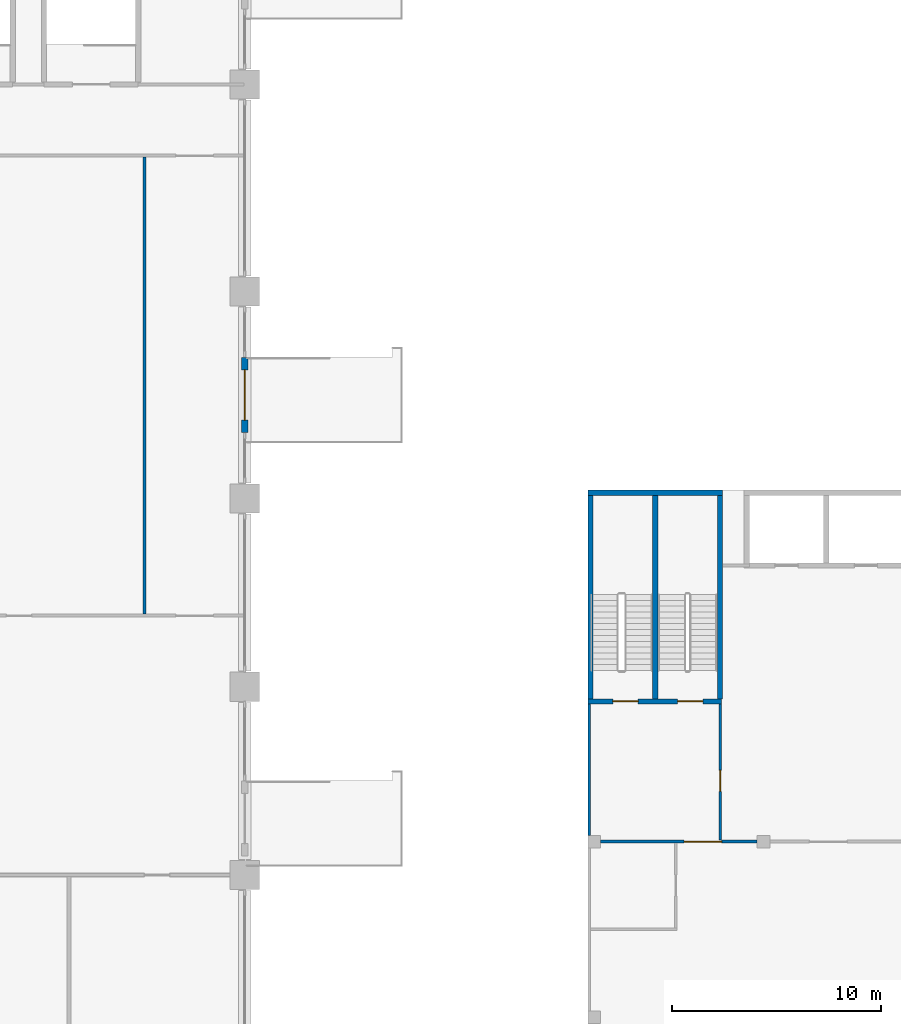
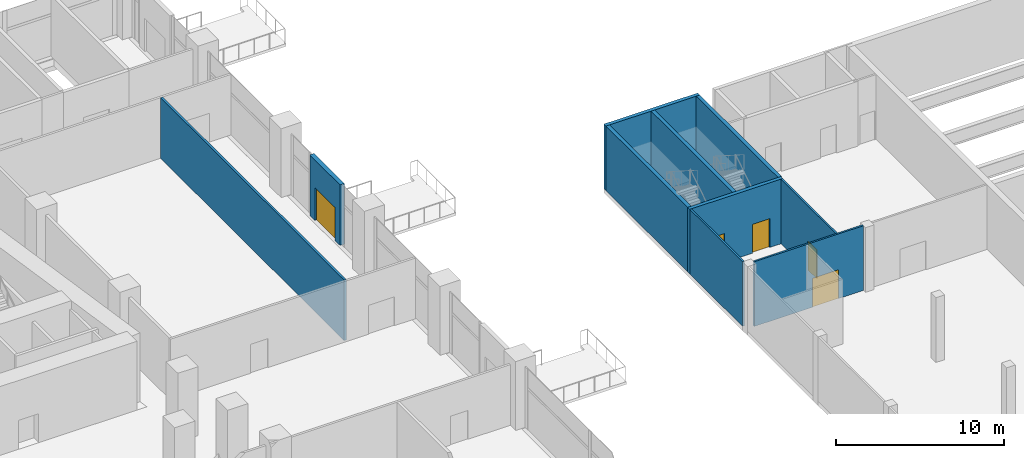
# One storey, part 21 of 33: 10 walls, 5 doors, 5 openings.
"""IFC4 building model written with IfcOpenShell, lengths in metres."""

from ifc_helpers import new_model, si_unit, direction, frame, frame_2d, origin, place, context, subcontext, project, spatial, rectangle, extrude, material, layer, layer_set, type_object, element, fill, save


model = new_model("IFC4")

# Units and contexts
model_context = context("Model", 3, precision=1e-05, world=origin(), true_north=direction((0.0, 1.0)))
body_context = subcontext(model_context, "Body", "Model", "MODEL_VIEW")
ifc_project = project(units=[si_unit("LENGTHUNIT", "METRE"), si_unit("AREAUNIT", "SQUARE_METRE"), si_unit("VOLUMEUNIT", "CUBIC_METRE"), si_unit("PLANEANGLEUNIT", "RADIAN"), si_unit("MASSUNIT", "GRAM", prefix="KILO")], contexts=[model_context])

# Site, building, storey
site_placement = place(None, origin())
site = spatial("IfcSite", under=ifc_project, at=site_placement, CompositionType="ELEMENT")
building_placement = place(site_placement, origin())
building = spatial("IfcBuilding", under=site, at=building_placement, Name="Candeia Pilgrim Tower and Theatre", CompositionType="ELEMENT")
storey_placement = place(building_placement, frame((0.0, 0.0, 29.0)))
storey = spatial("IfcBuildingStorey", under=building, at=storey_placement, Name="L04", CompositionType="ELEMENT", Elevation=29.0)

# Wall, opening, door
ifc_material_1 = material(Name="Ceramic block masonry", Category="masonry")
ifc_layer_1 = layer(ifc_material_1, 0.300048828125)
ifc_layer_set_1 = layer_set([ifc_layer_1], Name="EW2 entrance infill wall 300")
wall_type_1 = type_object("IfcWallType", Name="EW2 entrance infill wall 300", PredefinedType="SOLIDWALL", material=ifc_layer_set_1)
wall_1_placement = place(storey_placement, frame((159.60009765625, 122.75, 0.0), z_axis=(0.0, 0.0, 1.0), x_axis=(0.0, -1.0, 0.0)))
wall_1 = element("IfcWall", 1, at=wall_1_placement, inside=storey, type_object=wall_type_1, Name="Entrance wall L04", PredefinedType="SOLIDWALL", context=body_context, shape_type="SweptSolid", body=[
    extrude(rectangle(XDim=3.60009765625, YDim=0.300048828125, at=frame_2d((1.800048828125, 0.0))), origin(), (0.0, 0.0, 1.0), 4.39990234375),
])
opening_1_placement = place(wall_1_placement, frame((0.60009765625, 0.0, 0.0)))
opening_1 = element("IfcOpeningElement", 2, at=opening_1_placement, cuts=wall_1, Name="Opening L04-ED081", PredefinedType="OPENING", context=body_context, shape_type="SweptSolid", body=[
    extrude(rectangle(XDim=2.39990234375, YDim=2.39990234375, at=frame_2d((1.199951171875, 1.199951171875))), frame((0.0, 0.16015625, 0.0), z_axis=(0.0, -1.0, 0.0), x_axis=(1.0, 0.0, 0.0)), (0.0, 0.0, 1.0), 0.320068359375),
])
ifc_material_2 = material(Name="Aluminium framed glazed door", Category="aluminium")
door_type_1 = type_object("IfcDoorType", Name="ED entrance double door 2400x2400", OperationType="DOUBLE_DOOR_DOUBLE_SWING", PredefinedType="DOOR", material=ifc_material_2)
door_1_placement = place(opening_1_placement, origin())
door_1 = element("IfcDoor", 3, at=door_1_placement, inside=storey, type_object=door_type_1, Name="Entrance door L04-ED081", OperationType="DOUBLE_DOOR_DOUBLE_SWING", OverallHeight=2.39990234375, OverallWidth=2.39990234375, PredefinedType="DOOR", context=body_context, shape_type="SweptSolid", body=[
    extrude(rectangle(XDim=2.39990234375, YDim=2.39990234375, at=frame_2d((1.199951171875, 1.199951171875))), frame((0.0, 0.02490234375, 0.0), z_axis=(0.0, -1.0, 0.0), x_axis=(1.0, 0.0, 0.0)), (0.0, 0.0, 1.0), 0.050048828125),
])
fill(opening_1, door_1)

# Wall
ifc_material_3 = material(Name="Gypsum board partition on steel studs", Category="steel")
ifc_layer_2 = layer(ifc_material_3, 0.14990234375)
ifc_layer_set_2 = layer_set([ifc_layer_2], Name="PW-150 unit wall")
wall_type_2 = type_object("IfcWallType", Name="PW-150 unit wall", PredefinedType="PARTITIONING", material=ifc_layer_set_2)
wall_2_placement = place(storey_placement, frame((154.800048828125, 110.47509765625, 0.0), z_axis=(0.0, 0.0, 1.0), x_axis=(0.0, 1.0, 0.0)))
element("IfcWall", 4, at=wall_2_placement, inside=storey, type_object=wall_type_2, Name="Unit wall L04-101", PredefinedType="PARTITIONING", context=body_context, shape_type="SweptSolid", body=[
    extrude(rectangle(XDim=21.849853515625, YDim=0.14990234375, at=frame_2d((10.9248046875, 0.0))), origin(), (0.0, 0.0, 1.0), 4.39990234375),
])

# Wall, opening, door
ifc_material_4 = material(Name="Gypsum board on steel studs", Category="steel")
ifc_layer_3 = layer(ifc_material_4, 0.125)
ifc_layer_set_3 = layer_set([ifc_layer_3], Name="Partition 125")
wall_type_3 = type_object("IfcWallType", Name="Partition 125", PredefinedType="PARTITIONING", material=ifc_layer_set_3)
wall_3_placement = place(storey_placement, frame((176.60009765625, 99.60009765625, 0.0), z_axis=(0.0, 0.0, 1.0), x_axis=(1.0, 0.0, 0.0)))
wall_3 = element("IfcWall", 5, at=wall_3_placement, inside=storey, type_object=wall_type_3, Name="T-L04-W016", PredefinedType="PARTITIONING", context=body_context, shape_type="SweptSolid", body=[
    extrude(rectangle(XDim=7.5, YDim=0.125, at=frame_2d((3.75, 0.0))), origin(), (0.0, 0.0, 1.0), 4.699951171875),
])
opening_2_placement = place(wall_3_placement, frame((4.0, 0.0, 0.0)))
opening_2 = element("IfcOpeningElement", 6, at=opening_2_placement, cuts=wall_3, Name="Opening TD-L04-018", PredefinedType="OPENING", context=body_context, shape_type="SweptSolid", body=[
    extrude(rectangle(XDim=1.800048828125, YDim=2.10009765625, at=frame_2d((0.89990234375, 1.050048828125))), frame((0.0, 0.072509765625, 0.0), z_axis=(0.0, -1.0, 0.0), x_axis=(1.0, 0.0, 0.0)), (0.0, 0.0, 1.0), 0.14501953125),
])
ifc_material_5 = material(Name="Timber door leaf", Category="wood")
door_type_2 = type_object("IfcDoorType", Name="Door double 1800x2100", OperationType="DOUBLE_DOOR_SINGLE_SWING", PredefinedType="DOOR", material=ifc_material_5)
door_2_placement = place(opening_2_placement, origin())
door_2 = element("IfcDoor", 7, at=door_2_placement, inside=storey, type_object=door_type_2, Name="Door TD-L04-018", OperationType="DOUBLE_DOOR_SINGLE_SWING", OverallHeight=2.10009765625, OverallWidth=1.800048828125, PredefinedType="DOOR", context=body_context, shape_type="SweptSolid", body=[
    extrude(rectangle(XDim=1.800048828125, YDim=2.10009765625, at=frame_2d((0.89990234375, 1.050048828125))), frame((0.0, 0.02490234375, 0.0), z_axis=(0.0, -1.0, 0.0), x_axis=(1.0, 0.0, 0.0)), (0.0, 0.0, 1.0), 0.050048828125),
])
fill(opening_2, door_2)

# Wall
wall_4_placement = place(storey_placement, frame((176.0625, 99.89990234375, 0.0), z_axis=(0.0, 0.0, 1.0), x_axis=(0.0, 1.0, 0.0)))
element("IfcWall", 8, at=wall_4_placement, inside=storey, type_object=wall_type_3, Name="T-L04-W040", PredefinedType="PARTITIONING", context=body_context, shape_type="SweptSolid", body=[
    extrude(rectangle(XDim=6.275146484375, YDim=0.125, at=frame_2d((3.1376953125, 0.0))), origin(), (0.0, 0.0, 1.0), 4.699951171875),
])

# Wall, opening, door
wall_5_placement = place(storey_placement, frame((182.324951171875, 99.66259765625, 0.0), z_axis=(0.0, 0.0, 1.0), x_axis=(0.0, 1.0, 0.0)))
wall_5 = element("IfcWall", 9, at=wall_5_placement, inside=storey, type_object=wall_type_3, Name="T-L04-W044", PredefinedType="PARTITIONING", context=body_context, shape_type="SweptSolid", body=[
    extrude(rectangle(XDim=6.512451171875, YDim=0.125, at=frame_2d((3.25634765625, 0.0))), origin(), (0.0, 0.0, 1.0), 4.699951171875),
])
opening_3_placement = place(wall_5_placement, frame((2.33740234375, 0.0, 0.0)))
opening_3 = element("IfcOpeningElement", 10, at=opening_3_placement, cuts=wall_5, Name="Opening TD-L04-003", PredefinedType="OPENING", context=body_context, shape_type="SweptSolid", body=[
    extrude(rectangle(XDim=1.0, YDim=2.10009765625, at=frame_2d((0.5, 1.050048828125))), frame((0.0, 0.072509765625, 0.0), z_axis=(0.0, -1.0, 0.0), x_axis=(1.0, 0.0, 0.0)), (0.0, 0.0, 1.0), 0.14501953125),
])
ifc_material_6 = material(Name="Steel fire door leaf", Category="steel")
door_type_3 = type_object("IfcDoorType", Name="Door fire single 1000x2100", OperationType="NOTDEFINED", PredefinedType="DOOR", material=ifc_material_6)
door_3_placement = place(opening_3_placement, origin())
door_3 = element("IfcDoor", 11, at=door_3_placement, inside=storey, type_object=door_type_3, Name="Door TD-L04-003", OperationType="SINGLE_SWING_LEFT", OverallHeight=2.10009765625, OverallWidth=1.0, PredefinedType="DOOR", context=body_context, shape_type="SweptSolid", body=[
    extrude(rectangle(XDim=1.0, YDim=2.10009765625, at=frame_2d((0.5, 1.050048828125))), frame((0.0, 0.02490234375, 0.0), z_axis=(0.0, -1.0, 0.0), x_axis=(1.0, 0.0, 0.0)), (0.0, 0.0, 1.0), 0.050048828125),
])
fill(opening_3, door_3)

# Wall, openings, doors
ifc_material_7 = material(Name="Concrete C35/45", Category="concrete")
ifc_layer_4 = layer(ifc_material_7, 0.25)
ifc_layer_set_4 = layer_set([ifc_layer_4], Name="RC wall 250 C35/45")
wall_type_4 = type_object("IfcWallType", Name="RC wall 250 C35/45", PredefinedType="SOLIDWALL", material=ifc_layer_set_4)
wall_6_placement = place(storey_placement, frame((176.0, 106.300048828125, 0.0), z_axis=(0.0, 0.0, 1.0), x_axis=(1.0, 0.0, 0.0)))
wall_6 = element("IfcWall", 12, at=wall_6_placement, inside=storey, type_object=wall_type_4, Name="T-L04-W024", PredefinedType="SOLIDWALL", context=body_context, shape_type="SweptSolid", body=[
    extrude(rectangle(XDim=6.387451171875, YDim=0.25, at=frame_2d((3.19384765625, 0.0))), origin(), (0.0, 0.0, 1.0), 4.699951171875),
])
opening_4_placement = place(wall_6_placement, frame((1.199951171875, 0.0, 0.0)))
opening_4 = element("IfcOpeningElement", 13, at=opening_4_placement, cuts=wall_6, Name="Opening TD-L04-001", PredefinedType="OPENING", context=body_context, shape_type="SweptSolid", body=[
    extrude(rectangle(XDim=1.199951171875, YDim=2.10009765625, at=frame_2d((0.60009765625, 1.050048828125))), frame((0.0, 0.135009765625, 0.0), z_axis=(0.0, -1.0, 0.0), x_axis=(1.0, 0.0, 0.0)), (0.0, 0.0, 1.0), 0.27001953125),
])
opening_5_placement = place(wall_6_placement, frame((4.300048828125, 0.0, 0.0)))
opening_5 = element("IfcOpeningElement", 14, at=opening_5_placement, cuts=wall_6, Name="Opening TD-L04-002", PredefinedType="OPENING", context=body_context, shape_type="SweptSolid", body=[
    extrude(rectangle(XDim=1.199951171875, YDim=2.10009765625, at=frame_2d((0.60009765625, 1.050048828125))), frame((0.0, 0.135009765625, 0.0), z_axis=(0.0, -1.0, 0.0), x_axis=(1.0, 0.0, 0.0)), (0.0, 0.0, 1.0), 0.27001953125),
])
door_type_4 = type_object("IfcDoorType", Name="Door exit single 1200x2100", OperationType="NOTDEFINED", PredefinedType="DOOR", material=ifc_material_6)
door_4_placement = place(opening_4_placement, origin())
door_4 = element("IfcDoor", 15, at=door_4_placement, inside=storey, type_object=door_type_4, Name="Door TD-L04-001", OperationType="SINGLE_SWING_LEFT", OverallHeight=2.10009765625, OverallWidth=1.199951171875, PredefinedType="DOOR", context=body_context, shape_type="SweptSolid", body=[
    extrude(rectangle(XDim=1.199951171875, YDim=2.10009765625, at=frame_2d((0.60009765625, 1.050048828125))), frame((0.0, 0.02490234375, 0.0), z_axis=(0.0, -1.0, 0.0), x_axis=(1.0, 0.0, 0.0)), (0.0, 0.0, 1.0), 0.050048828125),
])
fill(opening_4, door_4)
door_5_placement = place(opening_5_placement, origin())
door_5 = element("IfcDoor", 16, at=door_5_placement, inside=storey, type_object=door_type_4, Name="Door TD-L04-002", OperationType="SINGLE_SWING_RIGHT", OverallHeight=2.10009765625, OverallWidth=1.199951171875, PredefinedType="DOOR", context=body_context, shape_type="SweptSolid", body=[
    extrude(rectangle(XDim=1.199951171875, YDim=2.10009765625, at=frame_2d((0.60009765625, 1.050048828125))), frame((0.0, 0.02490234375, 0.0), z_axis=(0.0, -1.0, 0.0), x_axis=(1.0, 0.0, 0.0)), (0.0, 0.0, 1.0), 0.050048828125),
])
fill(opening_5, door_5)

# Walls
wall_7_placement = place(storey_placement, frame((176.0, 116.27490234375, 0.0), z_axis=(0.0, 0.0, 1.0), x_axis=(1.0, 0.0, 0.0)))
element("IfcWall", 17, at=wall_7_placement, inside=storey, type_object=wall_type_4, Name="T-L04-W030", PredefinedType="SOLIDWALL", context=body_context, shape_type="SweptSolid", body=[
    extrude(rectangle(XDim=6.449951171875, YDim=0.25, at=frame_2d((3.22509765625, 0.0))), origin(), (0.0, 0.0, 1.0), 4.699951171875),
])
for number, where, z_axis, x_axis, name in (
    (18, (176.125, 106.425048828125, 0.0), (0.0, 0.0, 1.0), (0.0, 1.0, 0.0), "T-L04-W041"),
    (19, (179.22509765625, 106.425048828125, 0.0), (0.0, 0.0, 1.0), (0.0, 1.0, 0.0), "T-L04-W042"),
    (20, (182.324951171875, 106.425048828125, 0.0), (0.0, 0.0, 1.0), (0.0, 1.0, 0.0), "T-L04-W045"),
):
    element("IfcWall", number, at=place(storey_placement, frame(where, z_axis=z_axis, x_axis=x_axis)), inside=storey, type_object=wall_type_4, Name=name, PredefinedType="SOLIDWALL", context=body_context, shape_type="SweptSolid", body=[
        extrude(rectangle(XDim=9.724853515625, YDim=0.25, at=frame_2d((4.8623046875, 0.0))), origin(), (0.0, 0.0, 1.0), 4.699951171875),
    ])

save(model, "model.ifc")
